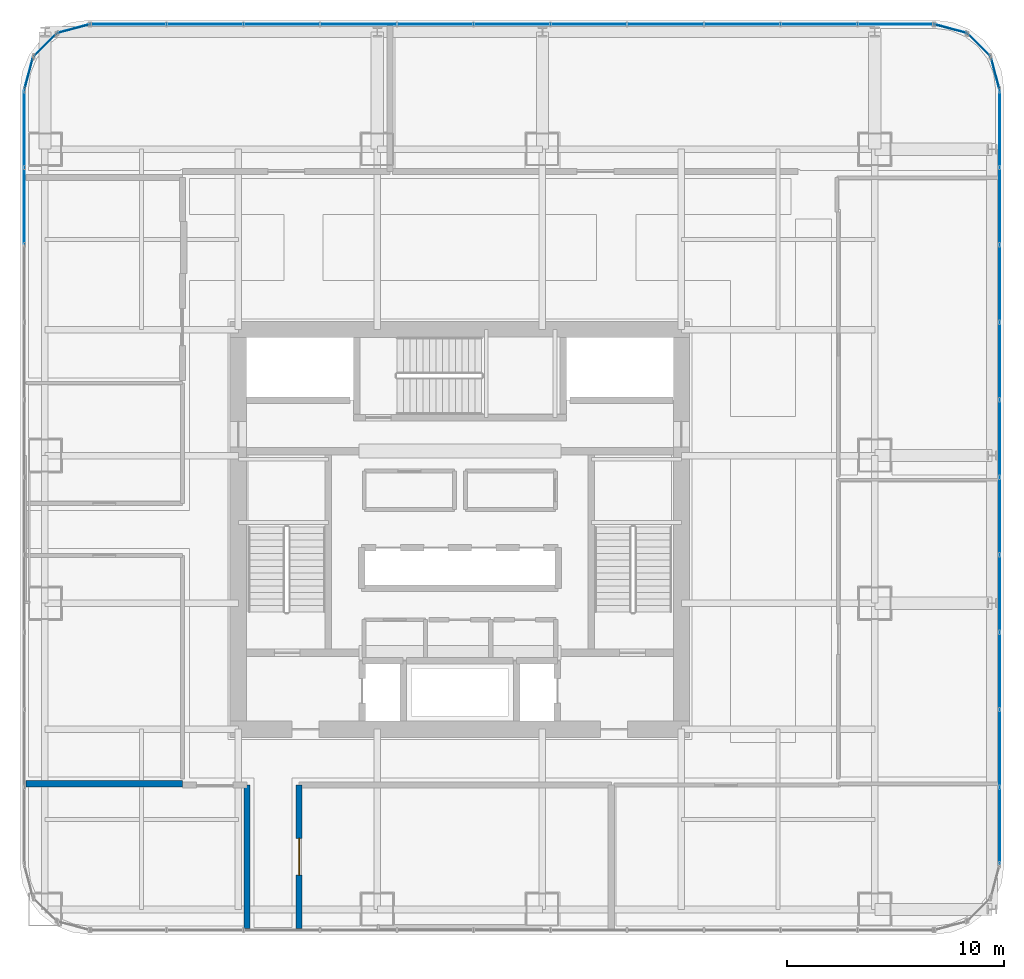
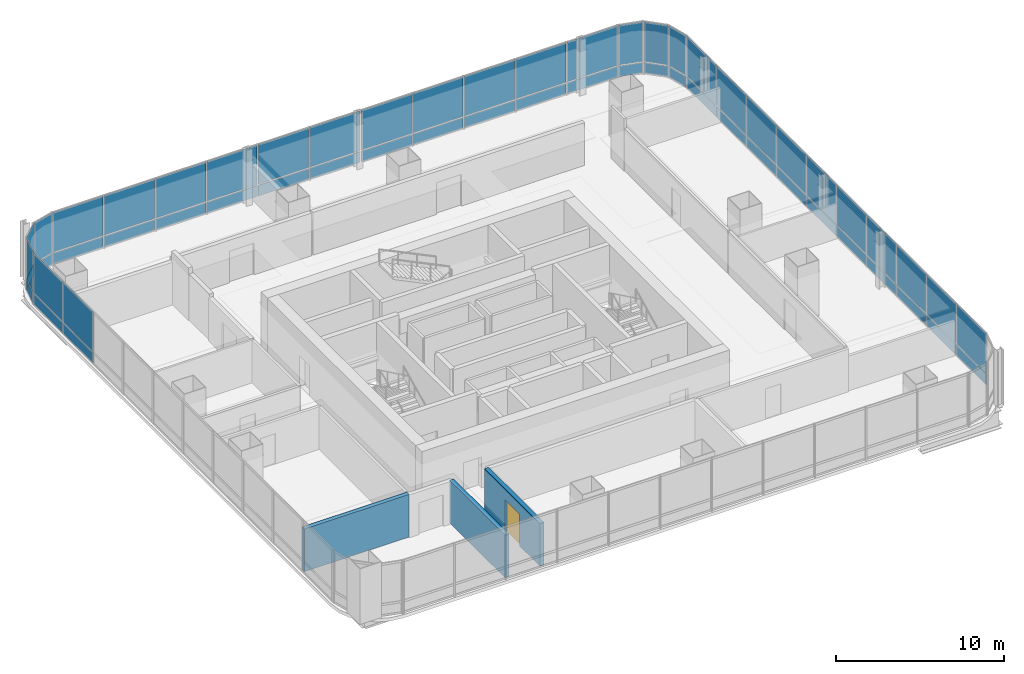
# One storey, part 26 of 34: 58 plates, 3 walls, 1 door, 1 opening, 9 elements without a shape of their own.
"""IFC4 building model written with IfcOpenShell, lengths in metres."""

import ifcopenshell
import ifcopenshell.guid

model = None  # the IFC model being written
_history = None  # IfcOwnerHistory: only IFC2X3 demands one
_inside = {}  # id of a spatial element -> (the spatial element, [elements in it])
_under = {}  # id of a project, library or spatial element -> (it, [spatial elements below it])
_declared = {}  # id of a project -> (the project, [libraries it declares])
_typed = {}  # id of a type object -> (the type object, [elements of that type])
_made_of = {}  # id of a material, layer set ... -> (it, [elements and type objects made of it])


def new_model(schema):
    """Start an empty IFC model of exactly this schema.

    Asked for "IFC4X3", IfcOpenShell would pick the latest addendum, in which some entities
    have other attributes; the version numbers below select the first issue.
    IFC2X3 requires an IfcOwnerHistory on every rooted entity: one is made here for all.
    """
    global model, _history
    if schema == "IFC4X3":
        model = ifcopenshell.file(schema_version=(4, 3, 0, 0))
    else:
        model = ifcopenshell.file(schema=schema)
    _inside.clear()
    _under.clear()
    _declared.clear()
    _typed.clear()
    _made_of.clear()
    _history = None
    if model.schema == "IFC2X3":
        org = make("IfcOrganization", Name="unknown")
        user = make(
            "IfcPersonAndOrganization",
            ThePerson=make("IfcPerson", FamilyName="unknown"),
            TheOrganization=org,
        )
        app = make(
            "IfcApplication",
            ApplicationDeveloper=org,
            Version="unknown",
            ApplicationFullName="unknown",
            ApplicationIdentifier="unknown",
        )
        _history = make(
            "IfcOwnerHistory",
            OwningUser=user,
            OwningApplication=app,
            ChangeAction="ADDED",
            CreationDate=0,
        )
    return model


def make(cls, **values):
    """One entity of the class cls with the attributes given. An attribute that is None is left unset."""
    return model.create_entity(
        cls, **{name: value for name, value in values.items() if value is not None}
    )


def rooted(cls, **values):
    """An entity with a GlobalId (a new one), such as an element, a storey or a relation."""
    return make(cls, GlobalId=ifcopenshell.guid.new(), OwnerHistory=_history, **values)


def si_unit(unit_type, name, prefix=None):
    """IfcSIUnit, for example si_unit("LENGTHUNIT", "METRE", prefix="MILLI")."""
    return make("IfcSIUnit", UnitType=unit_type, Prefix=prefix, Name=name)


def assignment(units):
    """IfcUnitAssignment: the units of a project."""
    return None if units is None else make("IfcUnitAssignment", Units=units)


def point(xyz):
    """IfcCartesianPoint."""
    return None if xyz is None else make("IfcCartesianPoint", Coordinates=xyz)


def direction(xyz):
    """IfcDirection."""
    return None if xyz is None else make("IfcDirection", DirectionRatios=xyz)


def frame(location, z_axis=None, x_axis=None):
    """IfcAxis2Placement3D, a coordinate frame: its origin and axes. An axis left out is left unset."""
    return make(
        "IfcAxis2Placement3D",
        Location=point(location),
        Axis=direction(z_axis),
        RefDirection=direction(x_axis),
    )


def frame_2d(location, x_axis=None):
    """IfcAxis2Placement2D, a coordinate frame in the plane: its origin and x axis."""
    return make(
        "IfcAxis2Placement2D", Location=point(location), RefDirection=direction(x_axis)
    )


def origin():
    """The frame at (0, 0, 0) with its axes left unset."""
    return frame((0.0, 0.0, 0.0))


def origin_2d():
    """The frame at (0, 0) in the plane with its x axis left unset."""
    return frame_2d((0.0, 0.0))


def place(relative_to, where):
    """IfcLocalPlacement: puts the frame where relative to a parent placement (None: the world)."""
    return make(
        "IfcLocalPlacement", PlacementRelTo=relative_to, RelativePlacement=where
    )


def context(
    kind, dimensions, precision=None, world=None, true_north=None, identifier=None
):
    """IfcGeometricRepresentationContext, for example the 3D "Model" context."""
    return make(
        "IfcGeometricRepresentationContext",
        ContextIdentifier=identifier,
        ContextType=kind,
        CoordinateSpaceDimension=dimensions,
        Precision=precision,
        WorldCoordinateSystem=world,
        TrueNorth=true_north,
    )


def subcontext(parent, identifier, kind, view, scale=None):
    """IfcGeometricRepresentationSubContext, for example "Body" below "Model"."""
    return make(
        "IfcGeometricRepresentationSubContext",
        ContextIdentifier=identifier,
        ContextType=kind,
        ParentContext=parent,
        TargetScale=scale,
        TargetView=view,
    )


def project(units=None, contexts=None):
    """IfcProject with its units and contexts."""
    return rooted(
        "IfcProject",
        Name="project",
        RepresentationContexts=contexts,
        UnitsInContext=assignment(units),
    )


def spatial(cls, under=None, at=None, **own):
    """A site, building, storey or space (cls), placed at a placement, below another one or the project."""
    s = rooted(cls, ObjectPlacement=at, **own)
    if under is not None:
        _under.setdefault(under.id(), (under, []))[1].append(s)
    return s


def profile(cls, at=None, kind="AREA", **sizes):
    """A parametric profile (cls). Its sizes go by their IFC names, for example OverallWidth=200.0."""
    return make(cls, ProfileType=kind, Position=at, **sizes)


def rectangle(**sizes):
    """IfcRectangleProfileDef."""
    return profile("IfcRectangleProfileDef", **sizes)


def extrude(swept, where, along, depth):
    """IfcExtrudedAreaSolid: the profile swept, set in the frame where, extruded along a direction by depth."""
    return make(
        "IfcExtrudedAreaSolid",
        SweptArea=swept,
        Position=where,
        ExtrudedDirection=direction(along),
        Depth=depth,
    )


def shape(context_of_items, identifier, shape_type, items):
    """IfcShapeRepresentation: the items that make up one representation, for example the "Body"."""
    return make(
        "IfcShapeRepresentation",
        ContextOfItems=context_of_items,
        RepresentationIdentifier=identifier,
        RepresentationType=shape_type,
        Items=items,
    )


def material(Name=None, Category=None):
    """IfcMaterial."""
    return make("IfcMaterial", Name=Name, Category=Category)


def layer(
    of_material, thickness, ventilated=None, Name=None, Category=None, Priority=None
):
    """IfcMaterialLayer: one layer of a wall or slab, of a material (None: an air gap)."""
    return make(
        "IfcMaterialLayer",
        Material=of_material,
        LayerThickness=thickness,
        IsVentilated=ventilated,
        Name=Name,
        Category=Category,
        Priority=Priority,
    )


def layer_set(layers, Name=None):
    """IfcMaterialLayerSet."""
    return make("IfcMaterialLayerSet", MaterialLayers=layers, LayerSetName=Name)


def made_of(thing, what):
    """Note that an element or type object is made of a material, layer set ...; save() writes the relation."""
    if what is not None:
        _made_of.setdefault(what.id(), (what, []))[1].append(thing)
    return thing


def type_object(cls, material=None, **own):
    """A type object (cls), such as IfcWallType, which elements share."""
    return made_of(rooted(cls, **own), material)


def element(
    cls,
    number,
    at=None,
    inside=None,
    cuts=None,
    type_object=None,
    material=None,
    context=None,
    identifier="Body",
    shape_type=None,
    held_by="IfcProductDefinitionShape",
    body=None,
    shapes=None,
    **own,
):
    """One element of the class cls, such as IfcWall. Its Tag is "e" and its number.

    at: its placement. inside: the storey or other place that contains it. cuts: it is an
    opening in that element (IfcRelVoidsElement). A single representation is given by context,
    identifier, shape_type and body (its items); several are given by shapes. held_by: the class
    of the entity that holds the representations. save() writes the other relations.
    """
    e = rooted(cls, Tag="e%d" % number, ObjectPlacement=at, **own)
    if body is not None:
        shapes = [shape(context, identifier, shape_type, body)]
    if shapes is not None:
        e.Representation = make(held_by, Representations=shapes)
    if inside is not None:
        _inside.setdefault(inside.id(), (inside, []))[1].append(e)
    if cuts is not None:
        rooted(
            "IfcRelVoidsElement", RelatingBuildingElement=cuts, RelatedOpeningElement=e
        )
    if type_object is not None:
        _typed.setdefault(type_object.id(), (type_object, []))[1].append(e)
    return made_of(e, material)


def fill(opening, filler):
    """IfcRelFillsElement: the door or window that sits in an opening."""
    return rooted(
        "IfcRelFillsElement",
        RelatingOpeningElement=opening,
        RelatedBuildingElement=filler,
    )


def aggregate(whole, parts):
    """IfcRelAggregates: a whole, such as a stair, and the parts it consists of."""
    return rooted("IfcRelAggregates", RelatingObject=whole, RelatedObjects=parts)


def save(model, path):
    """Write the relations noted so far, then the file.

    IfcRelAggregates (storeys below a building ...), IfcRelContainedInSpatialStructure (elements
    in a storey), IfcRelDefinesByType, IfcRelAssociatesMaterial and IfcRelDeclares: one each for
    every whole, place, type object, material and project.
    """
    for whole, parts in _under.values():
        aggregate(whole, parts)
    for where, things in _inside.values():
        rooted(
            "IfcRelContainedInSpatialStructure",
            RelatedElements=things,
            RelatingStructure=where,
        )
    for kind, things in _typed.values():
        rooted("IfcRelDefinesByType", RelatedObjects=things, RelatingType=kind)
    for what, things in _made_of.values():
        rooted("IfcRelAssociatesMaterial", RelatedObjects=things, RelatingMaterial=what)
    for by, libraries in _declared.values():
        rooted("IfcRelDeclares", RelatingContext=by, RelatedDefinitions=libraries)
    model.write(path)


model = new_model("IFC4")

# Units and contexts
model_context = context("Model", 3, precision=1e-05, world=origin(), true_north=direction((0.0, 1.0)))
body_context = subcontext(model_context, "Body", "Model", "MODEL_VIEW")
ifc_project = project(units=[si_unit("LENGTHUNIT", "METRE"), si_unit("AREAUNIT", "SQUARE_METRE"), si_unit("VOLUMEUNIT", "CUBIC_METRE"), si_unit("PLANEANGLEUNIT", "RADIAN"), si_unit("MASSUNIT", "GRAM", prefix="KILO")], contexts=[model_context])

# Site, building, storey
site_placement = place(None, origin())
site = spatial("IfcSite", under=ifc_project, at=site_placement, CompositionType="ELEMENT")
building_placement = place(site_placement, origin())
building = spatial("IfcBuilding", under=site, at=building_placement, Name="Punatoya Terracotta Tower", CompositionType="ELEMENT")
storey_placement = place(building_placement, frame((0.0, 0.0, 97.050048828125)))
storey = spatial("IfcBuildingStorey", under=building, at=storey_placement, Name="L22", CompositionType="ELEMENT", Elevation=97.050048828125)

# Curtain wall, plates
ifc_material_1 = material(Name="Aluminium 6063-T6 + Double Low-E Glass", Category="aluminium")
curtain_wall_type = type_object("IfcCurtainWallType", Name="CW-M1", PredefinedType="NOTDEFINED", material=ifc_material_1)
curtain_wall_1_placement = place(storey_placement, origin())
curtain_wall_1 = element("IfcCurtainWall", 1, at=curtain_wall_1_placement, inside=storey, type_object=curtain_wall_type, Name="L22 Curtain Wall CW-L22-E05-1", PredefinedType="NOTDEFINED")
ifc_material_2 = material(Name="Double Low-E Clear Vision Glass", Category="glass")
ifc_layer_1 = layer(ifc_material_2, 0.028076171875)
ifc_layer_set_1 = layer_set([ifc_layer_1], Name="Double Low-E Clear Vision Glass")
plate_type_1 = type_object("IfcPlateType", Name="PLT-GLZ-28", PredefinedType="CURTAIN_PANEL", material=ifc_layer_set_1)
plate_1_placement = place(storey_placement, frame((24.85009765625, -13.6533203125, 0.889892578125), z_axis=(0.0, 0.0, 1.0), x_axis=(0.0, 1.0, 0.0)))
plate_1 = element("IfcPlate", 2, at=plate_1_placement, type_object=plate_type_1, Name="CW-L22-E05-1 Vision Glass Panel 1", PredefinedType="CURTAIN_PANEL", context=body_context, shape_type="SweptSolid", body=[
    extrude(rectangle(XDim=3.482421875, YDim=0.028076171875, at=origin_2d()), origin(), (0.0, 0.0, 1.0), 2.8798828125),
])
plate_2_placement = place(storey_placement, frame((24.85009765625, -10.085693359375, 0.889892578125), z_axis=(0.0, 0.0, 1.0), x_axis=(0.0, 1.0, 0.0)))
plate_2 = element("IfcPlate", 3, at=plate_2_placement, type_object=plate_type_1, Name="CW-L22-E05-1 Vision Glass Panel 2", PredefinedType="CURTAIN_PANEL", context=body_context, shape_type="SweptSolid", body=[
    extrude(rectangle(XDim=3.482421875, YDim=0.028076171875, at=origin_2d()), origin(), (0.0, 0.0, 1.0), 2.8798828125),
])
plate_3_placement = place(storey_placement, frame((24.85009765625, -6.518310546875, 0.889892578125), z_axis=(0.0, 0.0, 1.0), x_axis=(0.0, 1.0, 0.0)))
plate_3 = element("IfcPlate", 4, at=plate_3_placement, type_object=plate_type_1, Name="CW-L22-E05-1 Vision Glass Panel 3", PredefinedType="CURTAIN_PANEL", context=body_context, shape_type="SweptSolid", body=[
    extrude(rectangle(XDim=3.482421875, YDim=0.028076171875, at=origin_2d()), origin(), (0.0, 0.0, 1.0), 2.8798828125),
])
plate_4_placement = place(storey_placement, frame((24.85009765625, -2.951171875, 0.889892578125), z_axis=(0.0, 0.0, 1.0), x_axis=(0.0, 1.0, 0.0)))
plate_4 = element("IfcPlate", 5, at=plate_4_placement, type_object=plate_type_1, Name="CW-L22-E05-1 Vision Glass Panel 4", PredefinedType="CURTAIN_PANEL", context=body_context, shape_type="SweptSolid", body=[
    extrude(rectangle(XDim=3.482421875, YDim=0.028076171875, at=origin_2d()), origin(), (0.0, 0.0, 1.0), 2.8798828125),
])
plate_5_placement = place(storey_placement, frame((24.85009765625, 0.6162109375, 0.889892578125), z_axis=(0.0, 0.0, 1.0), x_axis=(0.0, 1.0, 0.0)))
plate_5 = element("IfcPlate", 6, at=plate_5_placement, type_object=plate_type_1, Name="CW-L22-E05-1 Vision Glass Panel 5", PredefinedType="CURTAIN_PANEL", context=body_context, shape_type="SweptSolid", body=[
    extrude(rectangle(XDim=3.482421875, YDim=0.028076171875, at=origin_2d()), origin(), (0.0, 0.0, 1.0), 2.8798828125),
])
plate_6_placement = place(storey_placement, frame((24.85009765625, 4.18359375, 0.889892578125), z_axis=(0.0, 0.0, 1.0), x_axis=(0.0, 1.0, 0.0)))
plate_6 = element("IfcPlate", 7, at=plate_6_placement, type_object=plate_type_1, Name="CW-L22-E05-1 Vision Glass Panel 6", PredefinedType="CURTAIN_PANEL", context=body_context, shape_type="SweptSolid", body=[
    extrude(rectangle(XDim=3.482421875, YDim=0.028076171875, at=origin_2d()), origin(), (0.0, 0.0, 1.0), 2.8798828125),
])
plate_7_placement = place(storey_placement, frame((24.85009765625, 7.751220703125, 0.889892578125), z_axis=(0.0, 0.0, 1.0), x_axis=(0.0, 1.0, 0.0)))
plate_7 = element("IfcPlate", 8, at=plate_7_placement, type_object=plate_type_1, Name="CW-L22-E05-1 Vision Glass Panel 7", PredefinedType="CURTAIN_PANEL", context=body_context, shape_type="SweptSolid", body=[
    extrude(rectangle(XDim=3.482421875, YDim=0.028076171875, at=origin_2d()), origin(), (0.0, 0.0, 1.0), 2.8798828125),
])
plate_8_placement = place(storey_placement, frame((24.85009765625, 11.318359375, 0.889892578125), z_axis=(0.0, 0.0, 1.0), x_axis=(0.0, 1.0, 0.0)))
plate_8 = element("IfcPlate", 9, at=plate_8_placement, type_object=plate_type_1, Name="CW-L22-E05-1 Vision Glass Panel 8", PredefinedType="CURTAIN_PANEL", context=body_context, shape_type="SweptSolid", body=[
    extrude(rectangle(XDim=3.482421875, YDim=0.028076171875, at=origin_2d()), origin(), (0.0, 0.0, 1.0), 2.8798828125),
])
plate_9_placement = place(storey_placement, frame((24.85009765625, 14.8857421875, 0.889892578125), z_axis=(0.0, 0.0, 1.0), x_axis=(0.0, 1.0, 0.0)))
plate_9 = element("IfcPlate", 10, at=plate_9_placement, type_object=plate_type_1, Name="CW-L22-E05-1 Vision Glass Panel 9", PredefinedType="CURTAIN_PANEL", context=body_context, shape_type="SweptSolid", body=[
    extrude(rectangle(XDim=3.482421875, YDim=0.028076171875, at=origin_2d()), origin(), (0.0, 0.0, 1.0), 2.8798828125),
])
plate_10_placement = place(storey_placement, frame((24.85009765625, 18.453125, 0.889892578125), z_axis=(0.0, 0.0, 1.0), x_axis=(0.0, 1.0, 0.0)))
plate_10 = element("IfcPlate", 11, at=plate_10_placement, type_object=plate_type_1, Name="CW-L22-E05-1 Vision Glass Panel 10", PredefinedType="CURTAIN_PANEL", context=body_context, shape_type="SweptSolid", body=[
    extrude(rectangle(XDim=3.482421875, YDim=0.028076171875, at=origin_2d()), origin(), (0.0, 0.0, 1.0), 2.8798828125),
])

# Curtain wall, plate
curtain_wall_2_placement = place(storey_placement, origin())
curtain_wall_2 = element("IfcCurtainWall", 12, at=curtain_wall_2_placement, inside=storey, type_object=curtain_wall_type, Name="L22 Curtain Wall CW-L22-CRN06", PredefinedType="NOTDEFINED")
plate_11_placement = place(storey_placement, frame((24.648193359375, 20.992919921875, 0.889892578125), z_axis=(0.0, 0.0, 1.0), x_axis=(-0.257741620719, 0.966213877436, 0.0)))
plate_11 = element("IfcPlate", 13, at=plate_11_placement, type_object=plate_type_1, Name="CW-L22-CRN06 Vision Glass Panel 1", PredefinedType="CURTAIN_PANEL", context=body_context, shape_type="SweptSolid", body=[
    extrude(rectangle(XDim=1.47998046875, YDim=0.028076171875, at=origin_2d()), origin(), (0.0, 0.0, 1.0), 2.8798828125),
])

curtain_wall_3_placement = place(storey_placement, origin())
curtain_wall_3 = element("IfcCurtainWall", 14, at=curtain_wall_3_placement, inside=storey, type_object=curtain_wall_type, Name="L22 Curtain Wall CW-L22-CRN07", PredefinedType="NOTDEFINED")
plate_12_placement = place(storey_placement, frame((23.89794921875, 22.2978515625, 0.889892578125), z_axis=(0.0, 0.0, 1.0), x_axis=(-0.707106781187, 0.707106781187, 0.0)))
plate_12 = element("IfcPlate", 15, at=plate_12_placement, type_object=plate_type_1, Name="CW-L22-CRN07 Vision Glass Panel 1", PredefinedType="CURTAIN_PANEL", context=body_context, shape_type="SweptSolid", body=[
    extrude(rectangle(XDim=1.467041015625, YDim=0.028076171875, at=origin_2d()), origin(), (0.0, 0.0, 1.0), 2.8798828125),
])

curtain_wall_4_placement = place(storey_placement, origin())
curtain_wall_4 = element("IfcCurtainWall", 16, at=curtain_wall_4_placement, inside=storey, type_object=curtain_wall_type, Name="L22 Curtain Wall CW-L22-CRN08", PredefinedType="NOTDEFINED")
plate_13_placement = place(storey_placement, frame((22.593017578125, 23.04833984375, 0.889892578125), z_axis=(0.0, 0.0, 1.0), x_axis=(-0.966213877436, 0.257741620719, 0.0)))
plate_13 = element("IfcPlate", 17, at=plate_13_placement, type_object=plate_type_1, Name="CW-L22-CRN08 Vision Glass Panel 1", PredefinedType="CURTAIN_PANEL", context=body_context, shape_type="SweptSolid", body=[
    extrude(rectangle(XDim=1.47998046875, YDim=0.028076171875, at=origin_2d()), origin(), (0.0, 0.0, 1.0), 2.8798828125),
])

# Curtain wall, plates
curtain_wall_5_placement = place(storey_placement, origin())
curtain_wall_5 = element("IfcCurtainWall", 18, at=curtain_wall_5_placement, inside=storey, type_object=curtain_wall_type, Name="L22 Curtain Wall CW-L22-N09-1", PredefinedType="NOTDEFINED")
plate_14_placement = place(storey_placement, frame((20.06982421875, 23.25, 0.889892578125), z_axis=(0.0, 0.0, 1.0), x_axis=(-1.0, 0.0, 0.0)))
plate_14 = element("IfcPlate", 19, at=plate_14_placement, type_object=plate_type_1, Name="CW-L22-N09-1 Vision Glass Panel 1", PredefinedType="CURTAIN_PANEL", context=body_context, shape_type="SweptSolid", body=[
    extrude(rectangle(XDim=3.448974609375, YDim=0.028076171875, at=origin_2d()), origin(), (0.0, 0.0, 1.0), 2.8798828125),
])
plate_15_placement = place(storey_placement, frame((16.535888671875, 23.25, 0.889892578125), z_axis=(0.0, 0.0, 1.0), x_axis=(-1.0, 0.0, 0.0)))
plate_15 = element("IfcPlate", 20, at=plate_15_placement, type_object=plate_type_1, Name="CW-L22-N09-1 Vision Glass Panel 2", PredefinedType="CURTAIN_PANEL", context=body_context, shape_type="SweptSolid", body=[
    extrude(rectangle(XDim=3.448974609375, YDim=0.028076171875, at=origin_2d()), origin(), (0.0, 0.0, 1.0), 2.8798828125),
])
plate_16_placement = place(storey_placement, frame((13.001953125, 23.25, 0.889892578125), z_axis=(0.0, 0.0, 1.0), x_axis=(-1.0, 0.0, 0.0)))
plate_16 = element("IfcPlate", 21, at=plate_16_placement, type_object=plate_type_1, Name="CW-L22-N09-1 Vision Glass Panel 3", PredefinedType="CURTAIN_PANEL", context=body_context, shape_type="SweptSolid", body=[
    extrude(rectangle(XDim=3.448974609375, YDim=0.028076171875, at=origin_2d()), origin(), (0.0, 0.0, 1.0), 2.8798828125),
])
plate_17_placement = place(storey_placement, frame((9.468017578125, 23.25, 0.889892578125), z_axis=(0.0, 0.0, 1.0), x_axis=(-1.0, 0.0, 0.0)))
plate_17 = element("IfcPlate", 22, at=plate_17_placement, type_object=plate_type_1, Name="CW-L22-N09-1 Vision Glass Panel 4", PredefinedType="CURTAIN_PANEL", context=body_context, shape_type="SweptSolid", body=[
    extrude(rectangle(XDim=3.448974609375, YDim=0.028076171875, at=origin_2d()), origin(), (0.0, 0.0, 1.0), 2.8798828125),
])
plate_18_placement = place(storey_placement, frame((5.93408203125, 23.25, 0.889892578125), z_axis=(0.0, 0.0, 1.0), x_axis=(-1.0, 0.0, 0.0)))
plate_18 = element("IfcPlate", 23, at=plate_18_placement, type_object=plate_type_1, Name="CW-L22-N09-1 Vision Glass Panel 5", PredefinedType="CURTAIN_PANEL", context=body_context, shape_type="SweptSolid", body=[
    extrude(rectangle(XDim=3.448974609375, YDim=0.028076171875, at=origin_2d()), origin(), (0.0, 0.0, 1.0), 2.8798828125),
])
plate_19_placement = place(storey_placement, frame((2.39990234375, 23.25, 0.889892578125), z_axis=(0.0, 0.0, 1.0), x_axis=(-1.0, 0.0, 0.0)))
plate_19 = element("IfcPlate", 24, at=plate_19_placement, type_object=plate_type_1, Name="CW-L22-N09-1 Vision Glass Panel 6", PredefinedType="CURTAIN_PANEL", context=body_context, shape_type="SweptSolid", body=[
    extrude(rectangle(XDim=3.448974609375, YDim=0.028076171875, at=origin_2d()), origin(), (0.0, 0.0, 1.0), 2.8798828125),
])
plate_20_placement = place(storey_placement, frame((-1.134033203125, 23.25, 0.889892578125), z_axis=(0.0, 0.0, 1.0), x_axis=(-1.0, 0.0, 0.0)))
plate_20 = element("IfcPlate", 25, at=plate_20_placement, type_object=plate_type_1, Name="CW-L22-N09-1 Vision Glass Panel 7", PredefinedType="CURTAIN_PANEL", context=body_context, shape_type="SweptSolid", body=[
    extrude(rectangle(XDim=3.448974609375, YDim=0.028076171875, at=origin_2d()), origin(), (0.0, 0.0, 1.0), 2.8798828125),
])
plate_21_placement = place(storey_placement, frame((-4.66796875, 23.25, 0.889892578125), z_axis=(0.0, 0.0, 1.0), x_axis=(-1.0, 0.0, 0.0)))
plate_21 = element("IfcPlate", 26, at=plate_21_placement, type_object=plate_type_1, Name="CW-L22-N09-1 Vision Glass Panel 8", PredefinedType="CURTAIN_PANEL", context=body_context, shape_type="SweptSolid", body=[
    extrude(rectangle(XDim=3.448974609375, YDim=0.028076171875, at=origin_2d()), origin(), (0.0, 0.0, 1.0), 2.8798828125),
])
plate_22_placement = place(storey_placement, frame((-8.201904296875, 23.25, 0.889892578125), z_axis=(0.0, 0.0, 1.0), x_axis=(-1.0, 0.0, 0.0)))
plate_22 = element("IfcPlate", 27, at=plate_22_placement, type_object=plate_type_1, Name="CW-L22-N09-1 Vision Glass Panel 9", PredefinedType="CURTAIN_PANEL", context=body_context, shape_type="SweptSolid", body=[
    extrude(rectangle(XDim=3.448974609375, YDim=0.028076171875, at=origin_2d()), origin(), (0.0, 0.0, 1.0), 2.8798828125),
])
plate_23_placement = place(storey_placement, frame((-11.73583984375, 23.25, 0.889892578125), z_axis=(0.0, 0.0, 1.0), x_axis=(-1.0, 0.0, 0.0)))
plate_23 = element("IfcPlate", 28, at=plate_23_placement, type_object=plate_type_1, Name="CW-L22-N09-1 Vision Glass Panel 10", PredefinedType="CURTAIN_PANEL", context=body_context, shape_type="SweptSolid", body=[
    extrude(rectangle(XDim=3.448974609375, YDim=0.028076171875, at=origin_2d()), origin(), (0.0, 0.0, 1.0), 2.8798828125),
])
plate_24_placement = place(storey_placement, frame((-15.27001953125, 23.25, 0.889892578125), z_axis=(0.0, 0.0, 1.0), x_axis=(-1.0, 0.0, 0.0)))
plate_24 = element("IfcPlate", 29, at=plate_24_placement, type_object=plate_type_1, Name="CW-L22-N09-1 Vision Glass Panel 11", PredefinedType="CURTAIN_PANEL", context=body_context, shape_type="SweptSolid", body=[
    extrude(rectangle(XDim=3.448974609375, YDim=0.028076171875, at=origin_2d()), origin(), (0.0, 0.0, 1.0), 2.8798828125),
])

# Curtain wall, plate
curtain_wall_6_placement = place(storey_placement, origin())
curtain_wall_6 = element("IfcCurtainWall", 30, at=curtain_wall_6_placement, inside=storey, type_object=curtain_wall_type, Name="L22 Curtain Wall CW-L22-CRN10", PredefinedType="NOTDEFINED")
plate_25_placement = place(storey_placement, frame((-17.79296875, 23.04833984375, 0.889892578125), z_axis=(0.0, 0.0, 1.0), x_axis=(-0.966213877436, -0.257741620719, 0.0)))
plate_25 = element("IfcPlate", 31, at=plate_25_placement, type_object=plate_type_1, Name="CW-L22-CRN10 Vision Glass Panel 1", PredefinedType="CURTAIN_PANEL", context=body_context, shape_type="SweptSolid", body=[
    extrude(rectangle(XDim=1.47998046875, YDim=0.028076171875, at=origin_2d()), origin(), (0.0, 0.0, 1.0), 2.8798828125),
])

curtain_wall_7_placement = place(storey_placement, origin())
curtain_wall_7 = element("IfcCurtainWall", 32, at=curtain_wall_7_placement, inside=storey, type_object=curtain_wall_type, Name="L22 Curtain Wall CW-L22-CRN11", PredefinedType="NOTDEFINED")
plate_26_placement = place(storey_placement, frame((-19.097900390625, 22.2978515625, 0.889892578125), z_axis=(0.0, 0.0, 1.0), x_axis=(-0.707106781187, -0.707106781187, 0.0)))
plate_26 = element("IfcPlate", 33, at=plate_26_placement, type_object=plate_type_1, Name="CW-L22-CRN11 Vision Glass Panel 1", PredefinedType="CURTAIN_PANEL", context=body_context, shape_type="SweptSolid", body=[
    extrude(rectangle(XDim=1.467041015625, YDim=0.028076171875, at=origin_2d()), origin(), (0.0, 0.0, 1.0), 2.8798828125),
])

curtain_wall_8_placement = place(storey_placement, origin())
curtain_wall_8 = element("IfcCurtainWall", 34, at=curtain_wall_8_placement, inside=storey, type_object=curtain_wall_type, Name="L22 Curtain Wall CW-L22-CRN12", PredefinedType="NOTDEFINED")
plate_27_placement = place(storey_placement, frame((-19.848388671875, 20.992919921875, 0.889892578125), z_axis=(0.0, 0.0, 1.0), x_axis=(-0.257741620719, -0.966213877436, 0.0)))
plate_27 = element("IfcPlate", 35, at=plate_27_placement, type_object=plate_type_1, Name="CW-L22-CRN12 Vision Glass Panel 1", PredefinedType="CURTAIN_PANEL", context=body_context, shape_type="SweptSolid", body=[
    extrude(rectangle(XDim=1.47998046875, YDim=0.028076171875, at=origin_2d()), origin(), (0.0, 0.0, 1.0), 2.8798828125),
])

# Curtain wall, plates
curtain_wall_9_placement = place(storey_placement, origin())
curtain_wall_9 = element("IfcCurtainWall", 36, at=curtain_wall_9_placement, inside=storey, type_object=curtain_wall_type, Name="L22 Curtain Wall CW-L22-W13-1", PredefinedType="NOTDEFINED")
plate_28_placement = place(storey_placement, frame((-20.050048828125, 18.453125, 0.889892578125), z_axis=(0.0, 0.0, 1.0), x_axis=(0.0, -1.0, 0.0)))
plate_28 = element("IfcPlate", 37, at=plate_28_placement, type_object=plate_type_1, Name="CW-L22-W13-1 Vision Glass Panel 1", PredefinedType="CURTAIN_PANEL", context=body_context, shape_type="SweptSolid", body=[
    extrude(rectangle(XDim=3.482421875, YDim=0.028076171875, at=origin_2d()), origin(), (0.0, 0.0, 1.0), 2.8798828125),
])
plate_29_placement = place(storey_placement, frame((-20.050048828125, 14.8857421875, 0.889892578125), z_axis=(0.0, 0.0, 1.0), x_axis=(0.0, -1.0, 0.0)))
plate_29 = element("IfcPlate", 38, at=plate_29_placement, type_object=plate_type_1, Name="CW-L22-W13-1 Vision Glass Panel 2", PredefinedType="CURTAIN_PANEL", context=body_context, shape_type="SweptSolid", body=[
    extrude(rectangle(XDim=3.482421875, YDim=0.028076171875, at=origin_2d()), origin(), (0.0, 0.0, 1.0), 2.8798828125),
])

# Plate
ifc_material_3 = material(Name="Insulated Terracotta-Backed Spandrel Panel", Category="masonry")
ifc_layer_2 = layer(ifc_material_3, 0.044921875)
ifc_layer_set_2 = layer_set([ifc_layer_2], Name="Insulated Terracotta-Backed Spandrel Panel")
plate_type_2 = type_object("IfcPlateType", Name="PLT-SPN-45", PredefinedType="CURTAIN_PANEL", material=ifc_layer_set_2)
plate_30_placement = place(storey_placement, frame((24.85009765625, -13.6533203125, 0.0400390625), z_axis=(0.0, 0.0, 1.0), x_axis=(0.0, 1.0, 0.0)))
plate_30 = element("IfcPlate", 39, at=plate_30_placement, type_object=plate_type_2, Name="CW-L22-E05-1 Terracotta Spandrel Panel 1", PredefinedType="CURTAIN_PANEL", context=body_context, shape_type="SweptSolid", body=[
    extrude(rectangle(XDim=3.482421875, YDim=0.044921875, at=origin_2d()), origin(), (0.0, 0.0, 1.0), 0.77490234375),
])

plate_31_placement = place(storey_placement, frame((24.85009765625, -10.085693359375, 0.0400390625), z_axis=(0.0, 0.0, 1.0), x_axis=(0.0, 1.0, 0.0)))
plate_31 = element("IfcPlate", 40, at=plate_31_placement, type_object=plate_type_2, Name="CW-L22-E05-1 Terracotta Spandrel Panel 2", PredefinedType="CURTAIN_PANEL", context=body_context, shape_type="SweptSolid", body=[
    extrude(rectangle(XDim=3.482421875, YDim=0.044921875, at=origin_2d()), origin(), (0.0, 0.0, 1.0), 0.77490234375),
])

plate_32_placement = place(storey_placement, frame((24.85009765625, -6.518310546875, 0.0400390625), z_axis=(0.0, 0.0, 1.0), x_axis=(0.0, 1.0, 0.0)))
plate_32 = element("IfcPlate", 41, at=plate_32_placement, type_object=plate_type_2, Name="CW-L22-E05-1 Terracotta Spandrel Panel 3", PredefinedType="CURTAIN_PANEL", context=body_context, shape_type="SweptSolid", body=[
    extrude(rectangle(XDim=3.482421875, YDim=0.044921875, at=origin_2d()), origin(), (0.0, 0.0, 1.0), 0.77490234375),
])

plate_33_placement = place(storey_placement, frame((24.85009765625, -2.951171875, 0.0400390625), z_axis=(0.0, 0.0, 1.0), x_axis=(0.0, 1.0, 0.0)))
plate_33 = element("IfcPlate", 42, at=plate_33_placement, type_object=plate_type_2, Name="CW-L22-E05-1 Terracotta Spandrel Panel 4", PredefinedType="CURTAIN_PANEL", context=body_context, shape_type="SweptSolid", body=[
    extrude(rectangle(XDim=3.482421875, YDim=0.044921875, at=origin_2d()), origin(), (0.0, 0.0, 1.0), 0.77490234375),
])

plate_34_placement = place(storey_placement, frame((24.85009765625, 0.6162109375, 0.0400390625), z_axis=(0.0, 0.0, 1.0), x_axis=(0.0, 1.0, 0.0)))
plate_34 = element("IfcPlate", 43, at=plate_34_placement, type_object=plate_type_2, Name="CW-L22-E05-1 Terracotta Spandrel Panel 5", PredefinedType="CURTAIN_PANEL", context=body_context, shape_type="SweptSolid", body=[
    extrude(rectangle(XDim=3.482421875, YDim=0.044921875, at=origin_2d()), origin(), (0.0, 0.0, 1.0), 0.77490234375),
])

plate_35_placement = place(storey_placement, frame((24.85009765625, 4.18359375, 0.0400390625), z_axis=(0.0, 0.0, 1.0), x_axis=(0.0, 1.0, 0.0)))
plate_35 = element("IfcPlate", 44, at=plate_35_placement, type_object=plate_type_2, Name="CW-L22-E05-1 Terracotta Spandrel Panel 6", PredefinedType="CURTAIN_PANEL", context=body_context, shape_type="SweptSolid", body=[
    extrude(rectangle(XDim=3.482421875, YDim=0.044921875, at=origin_2d()), origin(), (0.0, 0.0, 1.0), 0.77490234375),
])

plate_36_placement = place(storey_placement, frame((24.85009765625, 7.751220703125, 0.0400390625), z_axis=(0.0, 0.0, 1.0), x_axis=(0.0, 1.0, 0.0)))
plate_36 = element("IfcPlate", 45, at=plate_36_placement, type_object=plate_type_2, Name="CW-L22-E05-1 Terracotta Spandrel Panel 7", PredefinedType="CURTAIN_PANEL", context=body_context, shape_type="SweptSolid", body=[
    extrude(rectangle(XDim=3.482421875, YDim=0.044921875, at=origin_2d()), origin(), (0.0, 0.0, 1.0), 0.77490234375),
])

plate_37_placement = place(storey_placement, frame((24.85009765625, 11.318359375, 0.0400390625), z_axis=(0.0, 0.0, 1.0), x_axis=(0.0, 1.0, 0.0)))
plate_37 = element("IfcPlate", 46, at=plate_37_placement, type_object=plate_type_2, Name="CW-L22-E05-1 Terracotta Spandrel Panel 8", PredefinedType="CURTAIN_PANEL", context=body_context, shape_type="SweptSolid", body=[
    extrude(rectangle(XDim=3.482421875, YDim=0.044921875, at=origin_2d()), origin(), (0.0, 0.0, 1.0), 0.77490234375),
])

plate_38_placement = place(storey_placement, frame((24.85009765625, 14.8857421875, 0.0400390625), z_axis=(0.0, 0.0, 1.0), x_axis=(0.0, 1.0, 0.0)))
plate_38 = element("IfcPlate", 47, at=plate_38_placement, type_object=plate_type_2, Name="CW-L22-E05-1 Terracotta Spandrel Panel 9", PredefinedType="CURTAIN_PANEL", context=body_context, shape_type="SweptSolid", body=[
    extrude(rectangle(XDim=3.482421875, YDim=0.044921875, at=origin_2d()), origin(), (0.0, 0.0, 1.0), 0.77490234375),
])

plate_39_placement = place(storey_placement, frame((24.85009765625, 18.453125, 0.0400390625), z_axis=(0.0, 0.0, 1.0), x_axis=(0.0, 1.0, 0.0)))
plate_39 = element("IfcPlate", 48, at=plate_39_placement, type_object=plate_type_2, Name="CW-L22-E05-1 Terracotta Spandrel Panel 10", PredefinedType="CURTAIN_PANEL", context=body_context, shape_type="SweptSolid", body=[
    extrude(rectangle(XDim=3.482421875, YDim=0.044921875, at=origin_2d()), origin(), (0.0, 0.0, 1.0), 0.77490234375),
])

aggregate(curtain_wall_1, [plate_30, plate_1, plate_31, plate_2, plate_32, plate_3, plate_33, plate_4, plate_34, plate_5, plate_35, plate_6, plate_36, plate_7, plate_37, plate_8, plate_38, plate_9, plate_39, plate_10])

plate_40_placement = place(storey_placement, frame((24.648193359375, 20.992919921875, 0.0400390625), z_axis=(0.0, 0.0, 1.0), x_axis=(-0.257741620719, 0.966213877436, 0.0)))
plate_40 = element("IfcPlate", 49, at=plate_40_placement, type_object=plate_type_2, Name="CW-L22-CRN06 Terracotta Spandrel Panel 1", PredefinedType="CURTAIN_PANEL", context=body_context, shape_type="SweptSolid", body=[
    extrude(rectangle(XDim=1.47998046875, YDim=0.044921875, at=origin_2d()), origin(), (0.0, 0.0, 1.0), 0.77490234375),
])

aggregate(curtain_wall_2, [plate_40, plate_11])

plate_41_placement = place(storey_placement, frame((23.89794921875, 22.2978515625, 0.0400390625), z_axis=(0.0, 0.0, 1.0), x_axis=(-0.707106781187, 0.707106781187, 0.0)))
plate_41 = element("IfcPlate", 50, at=plate_41_placement, type_object=plate_type_2, Name="CW-L22-CRN07 Terracotta Spandrel Panel 1", PredefinedType="CURTAIN_PANEL", context=body_context, shape_type="SweptSolid", body=[
    extrude(rectangle(XDim=1.467041015625, YDim=0.044921875, at=origin_2d()), origin(), (0.0, 0.0, 1.0), 0.77490234375),
])

aggregate(curtain_wall_3, [plate_41, plate_12])

plate_42_placement = place(storey_placement, frame((22.593017578125, 23.04833984375, 0.0400390625), z_axis=(0.0, 0.0, 1.0), x_axis=(-0.966213877436, 0.257741620719, 0.0)))
plate_42 = element("IfcPlate", 51, at=plate_42_placement, type_object=plate_type_2, Name="CW-L22-CRN08 Terracotta Spandrel Panel 1", PredefinedType="CURTAIN_PANEL", context=body_context, shape_type="SweptSolid", body=[
    extrude(rectangle(XDim=1.47998046875, YDim=0.044921875, at=origin_2d()), origin(), (0.0, 0.0, 1.0), 0.77490234375),
])

aggregate(curtain_wall_4, [plate_42, plate_13])

plate_43_placement = place(storey_placement, frame((20.06982421875, 23.25, 0.0400390625), z_axis=(0.0, 0.0, 1.0), x_axis=(-1.0, 0.0, 0.0)))
plate_43 = element("IfcPlate", 52, at=plate_43_placement, type_object=plate_type_2, Name="CW-L22-N09-1 Terracotta Spandrel Panel 1", PredefinedType="CURTAIN_PANEL", context=body_context, shape_type="SweptSolid", body=[
    extrude(rectangle(XDim=3.448974609375, YDim=0.044921875, at=origin_2d()), origin(), (0.0, 0.0, 1.0), 0.77490234375),
])

plate_44_placement = place(storey_placement, frame((16.535888671875, 23.25, 0.0400390625), z_axis=(0.0, 0.0, 1.0), x_axis=(-1.0, 0.0, 0.0)))
plate_44 = element("IfcPlate", 53, at=plate_44_placement, type_object=plate_type_2, Name="CW-L22-N09-1 Terracotta Spandrel Panel 2", PredefinedType="CURTAIN_PANEL", context=body_context, shape_type="SweptSolid", body=[
    extrude(rectangle(XDim=3.448974609375, YDim=0.044921875, at=origin_2d()), origin(), (0.0, 0.0, 1.0), 0.77490234375),
])

plate_45_placement = place(storey_placement, frame((13.001953125, 23.25, 0.0400390625), z_axis=(0.0, 0.0, 1.0), x_axis=(-1.0, 0.0, 0.0)))
plate_45 = element("IfcPlate", 54, at=plate_45_placement, type_object=plate_type_2, Name="CW-L22-N09-1 Terracotta Spandrel Panel 3", PredefinedType="CURTAIN_PANEL", context=body_context, shape_type="SweptSolid", body=[
    extrude(rectangle(XDim=3.448974609375, YDim=0.044921875, at=origin_2d()), origin(), (0.0, 0.0, 1.0), 0.77490234375),
])

plate_46_placement = place(storey_placement, frame((9.468017578125, 23.25, 0.0400390625), z_axis=(0.0, 0.0, 1.0), x_axis=(-1.0, 0.0, 0.0)))
plate_46 = element("IfcPlate", 55, at=plate_46_placement, type_object=plate_type_2, Name="CW-L22-N09-1 Terracotta Spandrel Panel 4", PredefinedType="CURTAIN_PANEL", context=body_context, shape_type="SweptSolid", body=[
    extrude(rectangle(XDim=3.448974609375, YDim=0.044921875, at=origin_2d()), origin(), (0.0, 0.0, 1.0), 0.77490234375),
])

plate_47_placement = place(storey_placement, frame((5.93408203125, 23.25, 0.0400390625), z_axis=(0.0, 0.0, 1.0), x_axis=(-1.0, 0.0, 0.0)))
plate_47 = element("IfcPlate", 56, at=plate_47_placement, type_object=plate_type_2, Name="CW-L22-N09-1 Terracotta Spandrel Panel 5", PredefinedType="CURTAIN_PANEL", context=body_context, shape_type="SweptSolid", body=[
    extrude(rectangle(XDim=3.448974609375, YDim=0.044921875, at=origin_2d()), origin(), (0.0, 0.0, 1.0), 0.77490234375),
])

plate_48_placement = place(storey_placement, frame((2.39990234375, 23.25, 0.0400390625), z_axis=(0.0, 0.0, 1.0), x_axis=(-1.0, 0.0, 0.0)))
plate_48 = element("IfcPlate", 57, at=plate_48_placement, type_object=plate_type_2, Name="CW-L22-N09-1 Terracotta Spandrel Panel 6", PredefinedType="CURTAIN_PANEL", context=body_context, shape_type="SweptSolid", body=[
    extrude(rectangle(XDim=3.448974609375, YDim=0.044921875, at=origin_2d()), origin(), (0.0, 0.0, 1.0), 0.77490234375),
])

plate_49_placement = place(storey_placement, frame((-1.134033203125, 23.25, 0.0400390625), z_axis=(0.0, 0.0, 1.0), x_axis=(-1.0, 0.0, 0.0)))
plate_49 = element("IfcPlate", 58, at=plate_49_placement, type_object=plate_type_2, Name="CW-L22-N09-1 Terracotta Spandrel Panel 7", PredefinedType="CURTAIN_PANEL", context=body_context, shape_type="SweptSolid", body=[
    extrude(rectangle(XDim=3.448974609375, YDim=0.044921875, at=origin_2d()), origin(), (0.0, 0.0, 1.0), 0.77490234375),
])

plate_50_placement = place(storey_placement, frame((-4.66796875, 23.25, 0.0400390625), z_axis=(0.0, 0.0, 1.0), x_axis=(-1.0, 0.0, 0.0)))
plate_50 = element("IfcPlate", 59, at=plate_50_placement, type_object=plate_type_2, Name="CW-L22-N09-1 Terracotta Spandrel Panel 8", PredefinedType="CURTAIN_PANEL", context=body_context, shape_type="SweptSolid", body=[
    extrude(rectangle(XDim=3.448974609375, YDim=0.044921875, at=origin_2d()), origin(), (0.0, 0.0, 1.0), 0.77490234375),
])

plate_51_placement = place(storey_placement, frame((-8.201904296875, 23.25, 0.0400390625), z_axis=(0.0, 0.0, 1.0), x_axis=(-1.0, 0.0, 0.0)))
plate_51 = element("IfcPlate", 60, at=plate_51_placement, type_object=plate_type_2, Name="CW-L22-N09-1 Terracotta Spandrel Panel 9", PredefinedType="CURTAIN_PANEL", context=body_context, shape_type="SweptSolid", body=[
    extrude(rectangle(XDim=3.448974609375, YDim=0.044921875, at=origin_2d()), origin(), (0.0, 0.0, 1.0), 0.77490234375),
])

plate_52_placement = place(storey_placement, frame((-11.73583984375, 23.25, 0.0400390625), z_axis=(0.0, 0.0, 1.0), x_axis=(-1.0, 0.0, 0.0)))
plate_52 = element("IfcPlate", 61, at=plate_52_placement, type_object=plate_type_2, Name="CW-L22-N09-1 Terracotta Spandrel Panel 10", PredefinedType="CURTAIN_PANEL", context=body_context, shape_type="SweptSolid", body=[
    extrude(rectangle(XDim=3.448974609375, YDim=0.044921875, at=origin_2d()), origin(), (0.0, 0.0, 1.0), 0.77490234375),
])

plate_53_placement = place(storey_placement, frame((-15.27001953125, 23.25, 0.0400390625), z_axis=(0.0, 0.0, 1.0), x_axis=(-1.0, 0.0, 0.0)))
plate_53 = element("IfcPlate", 62, at=plate_53_placement, type_object=plate_type_2, Name="CW-L22-N09-1 Terracotta Spandrel Panel 11", PredefinedType="CURTAIN_PANEL", context=body_context, shape_type="SweptSolid", body=[
    extrude(rectangle(XDim=3.448974609375, YDim=0.044921875, at=origin_2d()), origin(), (0.0, 0.0, 1.0), 0.77490234375),
])

aggregate(curtain_wall_5, [plate_43, plate_14, plate_44, plate_15, plate_45, plate_16, plate_46, plate_17, plate_47, plate_18, plate_48, plate_19, plate_49, plate_20, plate_50, plate_21, plate_51, plate_22, plate_52, plate_23, plate_53, plate_24])

plate_54_placement = place(storey_placement, frame((-17.79296875, 23.04833984375, 0.0400390625), z_axis=(0.0, 0.0, 1.0), x_axis=(-0.966213877436, -0.257741620719, 0.0)))
plate_54 = element("IfcPlate", 63, at=plate_54_placement, type_object=plate_type_2, Name="CW-L22-CRN10 Terracotta Spandrel Panel 1", PredefinedType="CURTAIN_PANEL", context=body_context, shape_type="SweptSolid", body=[
    extrude(rectangle(XDim=1.47998046875, YDim=0.044921875, at=origin_2d()), origin(), (0.0, 0.0, 1.0), 0.77490234375),
])

aggregate(curtain_wall_6, [plate_54, plate_25])

plate_55_placement = place(storey_placement, frame((-19.097900390625, 22.2978515625, 0.0400390625), z_axis=(0.0, 0.0, 1.0), x_axis=(-0.707106781187, -0.707106781187, 0.0)))
plate_55 = element("IfcPlate", 64, at=plate_55_placement, type_object=plate_type_2, Name="CW-L22-CRN11 Terracotta Spandrel Panel 1", PredefinedType="CURTAIN_PANEL", context=body_context, shape_type="SweptSolid", body=[
    extrude(rectangle(XDim=1.467041015625, YDim=0.044921875, at=origin_2d()), origin(), (0.0, 0.0, 1.0), 0.77490234375),
])

aggregate(curtain_wall_7, [plate_55, plate_26])

plate_56_placement = place(storey_placement, frame((-19.848388671875, 20.992919921875, 0.0400390625), z_axis=(0.0, 0.0, 1.0), x_axis=(-0.257741620719, -0.966213877436, 0.0)))
plate_56 = element("IfcPlate", 65, at=plate_56_placement, type_object=plate_type_2, Name="CW-L22-CRN12 Terracotta Spandrel Panel 1", PredefinedType="CURTAIN_PANEL", context=body_context, shape_type="SweptSolid", body=[
    extrude(rectangle(XDim=1.47998046875, YDim=0.044921875, at=origin_2d()), origin(), (0.0, 0.0, 1.0), 0.77490234375),
])

aggregate(curtain_wall_8, [plate_56, plate_27])

plate_57_placement = place(storey_placement, frame((-20.050048828125, 18.453125, 0.0400390625), z_axis=(0.0, 0.0, 1.0), x_axis=(0.0, -1.0, 0.0)))
plate_57 = element("IfcPlate", 66, at=plate_57_placement, type_object=plate_type_2, Name="CW-L22-W13-1 Terracotta Spandrel Panel 1", PredefinedType="CURTAIN_PANEL", context=body_context, shape_type="SweptSolid", body=[
    extrude(rectangle(XDim=3.482421875, YDim=0.044921875, at=origin_2d()), origin(), (0.0, 0.0, 1.0), 0.77490234375),
])

plate_58_placement = place(storey_placement, frame((-20.050048828125, 14.8857421875, 0.0400390625), z_axis=(0.0, 0.0, 1.0), x_axis=(0.0, -1.0, 0.0)))
plate_58 = element("IfcPlate", 67, at=plate_58_placement, type_object=plate_type_2, Name="CW-L22-W13-1 Terracotta Spandrel Panel 2", PredefinedType="CURTAIN_PANEL", context=body_context, shape_type="SweptSolid", body=[
    extrude(rectangle(XDim=3.482421875, YDim=0.044921875, at=origin_2d()), origin(), (0.0, 0.0, 1.0), 0.77490234375),
])

aggregate(curtain_wall_9, [plate_57, plate_28, plate_58, plate_29])

# Wall, opening, door
ifc_material_4 = material(Name="Concrete C40/50", Category="concrete")
ifc_layer_3 = layer(ifc_material_4, 0.280029296875)
ifc_layer_set_3 = layer_set([ifc_layer_3], Name="Concrete C40/50")
wall_type = type_object("IfcWallType", Name="WL-AUD-280", PredefinedType="SOLIDWALL", material=ifc_layer_set_3)
wall_1_placement = place(storey_placement, frame((-7.39990234375, -18.3701171875, 0.0), z_axis=(0.0, 0.0, 1.0), x_axis=(0.0, 1.0, 0.0)))
wall_1 = element("IfcWall", 68, at=wall_1_placement, inside=storey, type_object=wall_type, Name="L22 Open-Plan Client Dining Salon Partition 16", PredefinedType="SOLIDWALL", context=body_context, shape_type="SweptSolid", body=[
    extrude(rectangle(XDim=6.60009765625, YDim=0.280029296875, at=frame_2d((3.300048828125, 0.0))), origin(), (0.0, 0.0, 1.0), 3.10400390625),
])
opening_placement = place(wall_1_placement, frame((2.449951171875, 0.0, 0.0)))
opening = element("IfcOpeningElement", 69, at=opening_placement, cuts=wall_1, Name="Opening FD-D1", PredefinedType="OPENING", context=body_context, shape_type="SweptSolid", body=[
    extrude(rectangle(XDim=1.699951171875, YDim=2.300048828125, at=frame_2d((0.85009765625, 1.14990234375))), frame((0.0, 0.14990234375, 0.0), z_axis=(0.0, -1.0, 0.0), x_axis=(1.0, 0.0, 0.0)), (0.0, 0.0, 1.0), 0.300048828125),
])
ifc_material_5 = material(Name="Timber Teak Veneer Fire Leaf", Category="wood")
door_type = type_object("IfcDoorType", Name="DR-DIN-1700", OperationType="NOTDEFINED", PredefinedType="DOOR", material=ifc_material_5)
door_placement = place(opening_placement, origin())
door = element("IfcDoor", 70, at=door_placement, inside=storey, type_object=door_type, Name="L22 Open-Plan Client Dining Salon Fire Door", OperationType="DOUBLE_DOOR_SINGLE_SWING", OverallHeight=2.300048828125, OverallWidth=1.699951171875, PredefinedType="DOOR", context=body_context, shape_type="SweptSolid", body=[
    extrude(rectangle(XDim=1.699951171875, YDim=2.300048828125, at=frame_2d((0.85009765625, 1.14990234375))), frame((0.0, 0.02490234375, 0.0), z_axis=(0.0, -1.0, 0.0), x_axis=(1.0, 0.0, 0.0)), (0.0, 0.0, 1.0), 0.050048828125),
])
fill(opening, door)

# Walls
wall_2_placement = place(storey_placement, frame((-19.969970703125, -11.7099609375, 0.0), z_axis=(0.0, 0.0, 1.0), x_axis=(1.0, 0.0, 0.0)))
element("IfcWall", 71, at=wall_2_placement, inside=storey, type_object=wall_type, Name="L22 Open-Plan Executive Bistro Lounge Partition 19", PredefinedType="SOLIDWALL", context=body_context, shape_type="SweptSolid", body=[
    extrude(rectangle(XDim=7.199951171875, YDim=0.280029296875, at=frame_2d((3.60009765625, 0.0))), origin(), (0.0, 0.0, 1.0), 3.10400390625),
])
wall_3_placement = place(storey_placement, frame((-9.800048828125, -11.77001953125, 0.0), z_axis=(0.0, 0.0, 1.0), x_axis=(0.0, -1.0, 0.0)))
element("IfcWall", 72, at=wall_3_placement, inside=storey, type_object=wall_type, Name="L22 Open-Plan Executive Bistro Lounge Partition 21", PredefinedType="SOLIDWALL", context=body_context, shape_type="SweptSolid", body=[
    extrude(rectangle(XDim=6.60009765625, YDim=0.280029296875, at=frame_2d((3.300048828125, 0.0))), origin(), (0.0, 0.0, 1.0), 3.10400390625),
])

save(model, "model.ifc")
